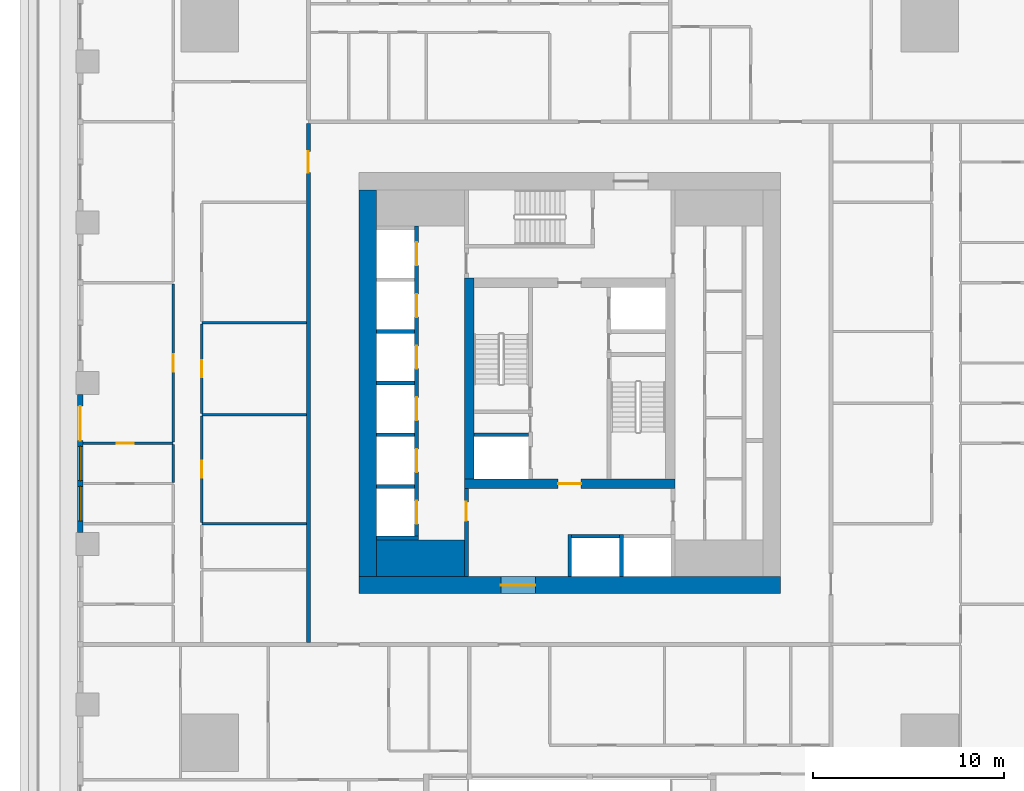
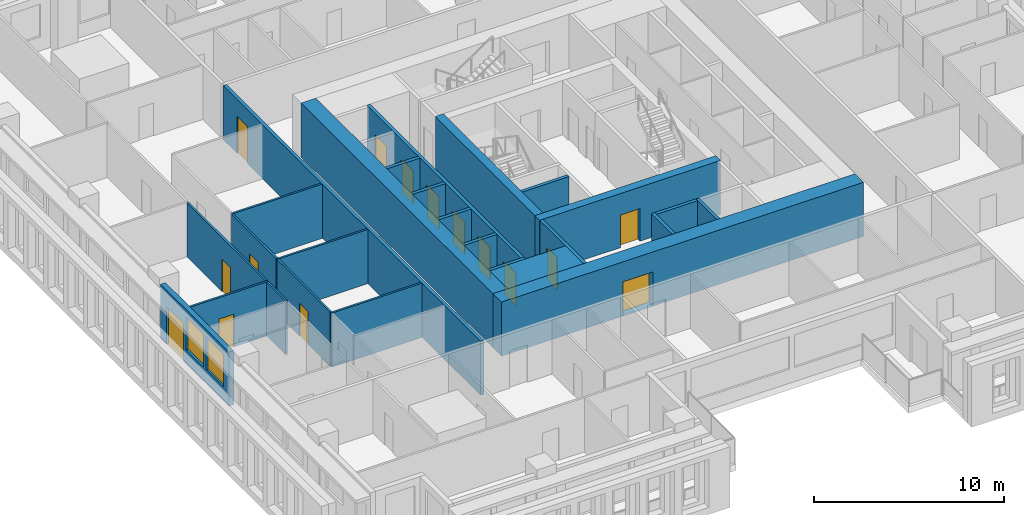
# One storey, part 3 of 15: 26 walls, 15 doors, 2 windows, 17 openings.
"""IFC4 building model written with IfcOpenShell, lengths in metres."""

from ifc_helpers import new_model, si_unit, direction, frame, frame_2d, origin, place, context, subcontext, project, spatial, rectangle, extrude, material, layer, layer_set, type_object, element, fill, save


model = new_model("IFC4")

# Units and contexts
model_context = context("Model", 3, precision=1e-05, world=origin(), true_north=direction((0.0, 1.0)))
body_context = subcontext(model_context, "Body", "Model", "MODEL_VIEW")
ifc_project = project(units=[si_unit("LENGTHUNIT", "METRE"), si_unit("AREAUNIT", "SQUARE_METRE"), si_unit("VOLUMEUNIT", "CUBIC_METRE"), si_unit("PLANEANGLEUNIT", "RADIAN"), si_unit("MASSUNIT", "GRAM", prefix="KILO")], contexts=[model_context])

# Site, building, storey
site_placement = place(None, origin())
site = spatial("IfcSite", under=ifc_project, at=site_placement, CompositionType="ELEMENT")
building_placement = place(site_placement, origin())
building = spatial("IfcBuilding", under=site, at=building_placement, Name="Khepri Terraces", CompositionType="ELEMENT")
storey_placement = place(building_placement, frame((0.0, 0.0, 42.60009765625)))
storey = spatial("IfcBuildingStorey", under=building, at=storey_placement, Name="L09", CompositionType="ELEMENT", Elevation=42.60009765625)

# Walls
ifc_material_1 = material(Name="Concrete C80/95", Category="concrete")
ifc_layer_1 = layer(ifc_material_1, 1.89990234375, Name="Concrete C80/95", Category="concrete")
ifc_layer_set_1 = layer_set([ifc_layer_1], Name="Concrete C80/95")
wall_type_1 = type_object("IfcWallType", Name="Core wall 1900 C80/95", PredefinedType="SHEAR", material=ifc_layer_set_1)
wall_1_placement = place(storey_placement, frame((-10.10009765625, -9.14990234375, 0.0), z_axis=(0.0, 0.0, 1.0), x_axis=(1.0, 0.0, 0.0)))
element("IfcWall", 1, at=wall_1_placement, inside=storey, type_object=wall_type_1, Name="Core wall PR01 L09", PredefinedType="SHEAR", context=body_context, shape_type="SweptSolid", body=[
    extrude(rectangle(XDim=4.60009765625, YDim=1.89990234375, at=frame_2d((2.300048828125, 0.0))), origin(), (0.0, 0.0, 1.0), 3.47998046875),
])
ifc_layer_2 = layer(ifc_material_1, 0.199951171875, Name="Concrete C80/95", Category="concrete")
ifc_layer_set_2 = layer_set([ifc_layer_2], Name="Concrete C80/95")
wall_type_2 = type_object("IfcWallType", Name="Core wall 200 C80/95", PredefinedType="SHEAR", material=ifc_layer_set_2)
for number, where, z_axis, x_axis, name in (
    (2, (0.0, -10.10009765625, 0.0), (0.0, 0.0, 1.0), (0.0, 1.0, 0.0), "Core wall SH01 L09"),
    (3, (2.699951171875, -10.10009765625, 0.0), (0.0, 0.0, 1.0), (0.0, 1.0, 0.0), "Core wall SH02 L09"),
    (4, (-10.10009765625, -8.10009765625, 0.0), (0.0, 0.0, 1.0), (1.0, 0.0, 0.0), "Core wall SH04 L09"),
):
    element("IfcWall", number, at=place(storey_placement, frame(where, z_axis=z_axis, x_axis=x_axis)), inside=storey, type_object=wall_type_2, Name=name, PredefinedType="SHEAR", context=body_context, shape_type="SweptSolid", body=[
        extrude(rectangle(XDim=2.2001953125, YDim=0.199951171875, at=frame_2d((1.10009765625, 0.0))), origin(), (0.0, 0.0, 1.0), 3.47998046875),
    ])
wall_2_placement = place(storey_placement, frame((0.10009765625, -8.0, 0.0), z_axis=(0.0, 0.0, 1.0), x_axis=(1.0, 0.0, 0.0)))
element("IfcWall", 5, at=wall_2_placement, inside=storey, type_object=wall_type_2, Name="Core wall SH06 L09", PredefinedType="SHEAR", context=body_context, shape_type="SweptSolid", body=[
    extrude(rectangle(XDim=2.5, YDim=0.199951171875, at=frame_2d((1.25, 0.0))), origin(), (0.0, 0.0, 1.0), 3.47998046875),
])

# Wall, openings, doors
wall_3_placement = place(storey_placement, frame((-8.0, -8.0, 0.0), z_axis=(0.0, 0.0, 1.0), x_axis=(0.0, 1.0, 0.0)))
wall_3 = element("IfcWall", 6, at=wall_3_placement, inside=storey, type_object=wall_type_2, Name="Core wall SH08 L09", PredefinedType="SHEAR", context=body_context, shape_type="SweptSolid", body=[
    extrude(rectangle(XDim=16.199951171875, YDim=0.199951171875, at=frame_2d((8.10009765625, 0.0))), origin(), (0.0, 0.0, 1.0), 3.47998046875),
])
opening_1_placement = place(wall_3_placement, frame((0.64990234375, 0.0, 0.0)))
opening_1 = element("IfcOpeningElement", 7, at=opening_1_placement, cuts=wall_3, Name="Opening L09-C01", PredefinedType="OPENING", context=body_context, shape_type="SweptSolid", body=[
    extrude(rectangle(XDim=1.199951171875, YDim=2.10009765625, at=frame_2d((0.60009765625, 1.050048828125))), frame((0.0, 0.10986328125, 0.0), z_axis=(0.0, -1.0, 0.0), x_axis=(1.0, 0.0, 0.0)), (0.0, 0.0, 1.0), 0.219970703125),
])
opening_2_placement = place(wall_3_placement, frame((3.35009765625, 0.0, 0.0)))
opening_2 = element("IfcOpeningElement", 8, at=opening_2_placement, cuts=wall_3, Name="Opening L09-C02", PredefinedType="OPENING", context=body_context, shape_type="SweptSolid", body=[
    extrude(rectangle(XDim=1.199951171875, YDim=2.10009765625, at=frame_2d((0.60009765625, 1.050048828125))), frame((0.0, 0.10986328125, 0.0), z_axis=(0.0, -1.0, 0.0), x_axis=(1.0, 0.0, 0.0)), (0.0, 0.0, 1.0), 0.219970703125),
])
opening_3_placement = place(wall_3_placement, frame((6.050048828125, 0.0, 0.0)))
opening_3 = element("IfcOpeningElement", 9, at=opening_3_placement, cuts=wall_3, Name="Opening L09-C03", PredefinedType="OPENING", context=body_context, shape_type="SweptSolid", body=[
    extrude(rectangle(XDim=1.199951171875, YDim=2.10009765625, at=frame_2d((0.60009765625, 1.050048828125))), frame((0.0, 0.10986328125, 0.0), z_axis=(0.0, -1.0, 0.0), x_axis=(1.0, 0.0, 0.0)), (0.0, 0.0, 1.0), 0.219970703125),
])
opening_4_placement = place(wall_3_placement, frame((8.75, 0.0, 0.0)))
opening_4 = element("IfcOpeningElement", 10, at=opening_4_placement, cuts=wall_3, Name="Opening L09-C04", PredefinedType="OPENING", context=body_context, shape_type="SweptSolid", body=[
    extrude(rectangle(XDim=1.199951171875, YDim=2.10009765625, at=frame_2d((0.60009765625, 1.050048828125))), frame((0.0, 0.10986328125, 0.0), z_axis=(0.0, -1.0, 0.0), x_axis=(1.0, 0.0, 0.0)), (0.0, 0.0, 1.0), 0.219970703125),
])
opening_5_placement = place(wall_3_placement, frame((11.449951171875, 0.0, 0.0)))
opening_5 = element("IfcOpeningElement", 11, at=opening_5_placement, cuts=wall_3, Name="Opening L09-C05", PredefinedType="OPENING", context=body_context, shape_type="SweptSolid", body=[
    extrude(rectangle(XDim=1.199951171875, YDim=2.10009765625, at=frame_2d((0.60009765625, 1.050048828125))), frame((0.0, 0.10986328125, 0.0), z_axis=(0.0, -1.0, 0.0), x_axis=(1.0, 0.0, 0.0)), (0.0, 0.0, 1.0), 0.219970703125),
])
opening_6_placement = place(wall_3_placement, frame((14.14990234375, 0.0, 0.0)))
opening_6 = element("IfcOpeningElement", 12, at=opening_6_placement, cuts=wall_3, Name="Opening L09-C06", PredefinedType="OPENING", context=body_context, shape_type="SweptSolid", body=[
    extrude(rectangle(XDim=1.199951171875, YDim=2.10009765625, at=frame_2d((0.60009765625, 1.050048828125))), frame((0.0, 0.10986328125, 0.0), z_axis=(0.0, -1.0, 0.0), x_axis=(1.0, 0.0, 0.0)), (0.0, 0.0, 1.0), 0.219970703125),
])
ifc_material_2 = material(Name="Stainless steel 304", Category="steel")
door_type_1 = type_object("IfcDoorType", Name="DR-CORE-LANDING-1200", OperationType="NOTDEFINED", PredefinedType="DOOR", material=ifc_material_2)
door_1_placement = place(opening_1_placement, origin())
door_1 = element("IfcDoor", 13, at=door_1_placement, inside=storey, type_object=door_type_1, Name="Lift landing door L09-C01", OperationType="SLIDING_TO_LEFT", OverallHeight=2.10009765625, OverallWidth=1.199951171875, PredefinedType="DOOR", context=body_context, shape_type="SweptSolid", body=[
    extrude(rectangle(XDim=1.199951171875, YDim=2.10009765625, at=frame_2d((0.60009765625, 1.050048828125))), frame((0.0, 0.02490234375, 0.0), z_axis=(0.0, -1.0, 0.0), x_axis=(1.0, 0.0, 0.0)), (0.0, 0.0, 1.0), 0.050048828125),
])
fill(opening_1, door_1)
door_2_placement = place(opening_2_placement, origin())
door_2 = element("IfcDoor", 14, at=door_2_placement, inside=storey, type_object=door_type_1, Name="Lift landing door L09-C02", OperationType="SLIDING_TO_LEFT", OverallHeight=2.10009765625, OverallWidth=1.199951171875, PredefinedType="DOOR", context=body_context, shape_type="SweptSolid", body=[
    extrude(rectangle(XDim=1.199951171875, YDim=2.10009765625, at=frame_2d((0.60009765625, 1.050048828125))), frame((0.0, 0.02490234375, 0.0), z_axis=(0.0, -1.0, 0.0), x_axis=(1.0, 0.0, 0.0)), (0.0, 0.0, 1.0), 0.050048828125),
])
fill(opening_2, door_2)
door_3_placement = place(opening_3_placement, origin())
door_3 = element("IfcDoor", 15, at=door_3_placement, inside=storey, type_object=door_type_1, Name="Lift landing door L09-C03", OperationType="SLIDING_TO_LEFT", OverallHeight=2.10009765625, OverallWidth=1.199951171875, PredefinedType="DOOR", context=body_context, shape_type="SweptSolid", body=[
    extrude(rectangle(XDim=1.199951171875, YDim=2.10009765625, at=frame_2d((0.60009765625, 1.050048828125))), frame((0.0, 0.02490234375, 0.0), z_axis=(0.0, -1.0, 0.0), x_axis=(1.0, 0.0, 0.0)), (0.0, 0.0, 1.0), 0.050048828125),
])
fill(opening_3, door_3)
door_4_placement = place(opening_4_placement, origin())
door_4 = element("IfcDoor", 16, at=door_4_placement, inside=storey, type_object=door_type_1, Name="Lift landing door L09-C04", OperationType="SLIDING_TO_LEFT", OverallHeight=2.10009765625, OverallWidth=1.199951171875, PredefinedType="DOOR", context=body_context, shape_type="SweptSolid", body=[
    extrude(rectangle(XDim=1.199951171875, YDim=2.10009765625, at=frame_2d((0.60009765625, 1.050048828125))), frame((0.0, 0.02490234375, 0.0), z_axis=(0.0, -1.0, 0.0), x_axis=(1.0, 0.0, 0.0)), (0.0, 0.0, 1.0), 0.050048828125),
])
fill(opening_4, door_4)
door_5_placement = place(opening_5_placement, origin())
door_5 = element("IfcDoor", 17, at=door_5_placement, inside=storey, type_object=door_type_1, Name="Lift landing door L09-C05", OperationType="SLIDING_TO_LEFT", OverallHeight=2.10009765625, OverallWidth=1.199951171875, PredefinedType="DOOR", context=body_context, shape_type="SweptSolid", body=[
    extrude(rectangle(XDim=1.199951171875, YDim=2.10009765625, at=frame_2d((0.60009765625, 1.050048828125))), frame((0.0, 0.02490234375, 0.0), z_axis=(0.0, -1.0, 0.0), x_axis=(1.0, 0.0, 0.0)), (0.0, 0.0, 1.0), 0.050048828125),
])
fill(opening_5, door_5)
door_6_placement = place(opening_6_placement, origin())
door_6 = element("IfcDoor", 18, at=door_6_placement, inside=storey, type_object=door_type_1, Name="Lift landing door L09-C06", OperationType="SLIDING_TO_LEFT", OverallHeight=2.10009765625, OverallWidth=1.199951171875, PredefinedType="DOOR", context=body_context, shape_type="SweptSolid", body=[
    extrude(rectangle(XDim=1.199951171875, YDim=2.10009765625, at=frame_2d((0.60009765625, 1.050048828125))), frame((0.0, 0.02490234375, 0.0), z_axis=(0.0, -1.0, 0.0), x_axis=(1.0, 0.0, 0.0)), (0.0, 0.0, 1.0), 0.050048828125),
])
fill(opening_6, door_6)

# Walls
for number, where, z_axis, x_axis, name in (
    (19, (-10.10009765625, -5.39990234375, 0.0), (0.0, 0.0, 1.0), (1.0, 0.0, 0.0), "Core wall SH09 L09"),
    (20, (-10.10009765625, -2.699951171875, 0.0), (0.0, 0.0, 1.0), (1.0, 0.0, 0.0), "Core wall SH12 L09"),
):
    element("IfcWall", number, at=place(storey_placement, frame(where, z_axis=z_axis, x_axis=x_axis)), inside=storey, type_object=wall_type_2, Name=name, PredefinedType="SHEAR", context=body_context, shape_type="SweptSolid", body=[
        extrude(rectangle(XDim=2.0, YDim=0.199951171875, at=frame_2d((1.0, 0.0))), origin(), (0.0, 0.0, 1.0), 3.47998046875),
    ])
wall_4_placement = place(storey_placement, frame((-5.0, -2.699951171875, 0.0), z_axis=(0.0, 0.0, 1.0), x_axis=(1.0, 0.0, 0.0)))
element("IfcWall", 21, at=wall_4_placement, inside=storey, type_object=wall_type_2, Name="Core wall SH13 L09", PredefinedType="SHEAR", context=body_context, shape_type="SweptSolid", body=[
    extrude(rectangle(XDim=2.85009765625, YDim=0.199951171875, at=frame_2d((1.425048828125, 0.0))), origin(), (0.0, 0.0, 1.0), 3.47998046875),
])
for number, where, z_axis, x_axis, name in (
    (22, (-10.10009765625, 0.0, 0.0), (0.0, 0.0, 1.0), (1.0, 0.0, 0.0), "Core wall SH14 L09"),
    (23, (-10.10009765625, 2.699951171875, 0.0), (0.0, 0.0, 1.0), (1.0, 0.0, 0.0), "Core wall SH17 L09"),
):
    element("IfcWall", number, at=place(storey_placement, frame(where, z_axis=z_axis, x_axis=x_axis)), inside=storey, type_object=wall_type_2, Name=name, PredefinedType="SHEAR", context=body_context, shape_type="SweptSolid", body=[
        extrude(rectangle(XDim=2.0, YDim=0.199951171875, at=frame_2d((1.0, 0.0))), origin(), (0.0, 0.0, 1.0), 3.47998046875),
    ])

# Wall, opening, door
ifc_layer_3 = layer(ifc_material_1, 0.5, Name="Concrete C80/95", Category="concrete")
ifc_layer_set_3 = layer_set([ifc_layer_3], Name="Concrete C80/95")
wall_type_3 = type_object("IfcWallType", Name="Core wall 500 C80/95", PredefinedType="SHEAR", material=ifc_layer_set_3)
wall_5_placement = place(storey_placement, frame((-5.5, -5.25, 0.0), z_axis=(0.0, 0.0, 1.0), x_axis=(1.0, 0.0, 0.0)))
wall_5 = element("IfcWall", 24, at=wall_5_placement, inside=storey, type_object=wall_type_3, Name="Core wall BX01 L09", PredefinedType="SHEAR", context=body_context, shape_type="SweptSolid", body=[
    extrude(rectangle(XDim=11.0, YDim=0.5, at=frame_2d((5.5, 0.0))), origin(), (0.0, 0.0, 1.0), 3.47998046875),
])
opening_7_placement = place(wall_5_placement, frame((4.89990234375, 0.0, 0.0)))
opening_7 = element("IfcOpeningElement", 25, at=opening_7_placement, cuts=wall_5, Name="Opening L09-C14", PredefinedType="OPENING", context=body_context, shape_type="SweptSolid", body=[
    extrude(rectangle(XDim=1.199951171875, YDim=2.10009765625, at=frame_2d((0.60009765625, 1.050048828125))), frame((0.0, 0.260009765625, 0.0), z_axis=(0.0, -1.0, 0.0), x_axis=(1.0, 0.0, 0.0)), (0.0, 0.0, 1.0), 0.52001953125),
])
ifc_material_3 = material(Name="Painted steel", Category="steel")
door_type_2 = type_object("IfcDoorType", Name="DR-CORE-FF-LOBBY-1200", OperationType="NOTDEFINED", PredefinedType="DOOR", material=ifc_material_3)
door_7_placement = place(opening_7_placement, origin())
door_7 = element("IfcDoor", 26, at=door_7_placement, inside=storey, type_object=door_type_2, Name="Firefighting lobby door L09-C14", OperationType="SINGLE_SWING_RIGHT", OverallHeight=2.10009765625, OverallWidth=1.199951171875, PredefinedType="DOOR", context=body_context, shape_type="SweptSolid", body=[
    extrude(rectangle(XDim=1.199951171875, YDim=2.10009765625, at=frame_2d((0.60009765625, 1.050048828125))), frame((0.0, 0.02490234375, 0.0), z_axis=(0.0, -1.0, 0.0), x_axis=(1.0, 0.0, 0.0)), (0.0, 0.0, 1.0), 0.050048828125),
])
fill(opening_7, door_7)

# Wall
wall_6_placement = place(storey_placement, frame((-5.25, -5.0, 0.0), z_axis=(0.0, 0.0, 1.0), x_axis=(0.0, 1.0, 0.0)))
element("IfcWall", 27, at=wall_6_placement, inside=storey, type_object=wall_type_3, Name="Core wall BX02 L09", PredefinedType="SHEAR", context=body_context, shape_type="SweptSolid", body=[
    extrude(rectangle(XDim=10.5, YDim=0.5, at=frame_2d((5.25, 0.0))), origin(), (0.0, 0.0, 1.0), 3.47998046875),
])

# Wall, opening, door
ifc_layer_4 = layer(ifc_material_1, 0.89990234375, Name="Concrete C80/95", Category="concrete")
ifc_layer_set_4 = layer_set([ifc_layer_4], Name="Concrete C80/95")
wall_type_4 = type_object("IfcWallType", Name="Core wall 900 C80/95", PredefinedType="SHEAR", material=ifc_layer_set_4)
wall_7_placement = place(storey_placement, frame((-11.0, -10.550048828125, 0.0), z_axis=(0.0, 0.0, 1.0), x_axis=(1.0, 0.0, 0.0)))
wall_7 = element("IfcWall", 28, at=wall_7_placement, inside=storey, type_object=wall_type_4, Name="Core wall OW-S L09", PredefinedType="SHEAR", context=body_context, shape_type="SweptSolid", body=[
    extrude(rectangle(XDim=22.0, YDim=0.89990234375, at=frame_2d((11.0, 0.0))), origin(), (0.0, 0.0, 1.0), 3.47998046875),
])
opening_8_placement = place(wall_7_placement, frame((7.39990234375, 0.0, 0.0)))
opening_8 = element("IfcOpeningElement", 29, at=opening_8_placement, cuts=wall_7, Name="Opening L09-C21", PredefinedType="OPENING", context=body_context, shape_type="SweptSolid", body=[
    extrude(rectangle(XDim=1.800048828125, YDim=2.199951171875, at=frame_2d((0.89990234375, 1.10009765625))), frame((0.0, 0.4599609375, 0.0), z_axis=(0.0, -1.0, 0.0), x_axis=(1.0, 0.0, 0.0)), (0.0, 0.0, 1.0), 0.919921875),
])
door_type_3 = type_object("IfcDoorType", Name="DR-CORE-ENTRANCE-1800", OperationType="NOTDEFINED", PredefinedType="DOOR", material=ifc_material_3)
door_8_placement = place(opening_8_placement, frame((1.800048828125, 0.0, 0.0), z_axis=(0.0, 0.0, 1.0), x_axis=(-1.0, 0.0, 0.0)))
door_8 = element("IfcDoor", 30, at=door_8_placement, inside=storey, type_object=door_type_3, Name="Core entrance door pair L09-C21", OperationType="DOUBLE_DOOR_SINGLE_SWING", OverallHeight=2.199951171875, OverallWidth=1.800048828125, PredefinedType="DOOR", context=body_context, shape_type="SweptSolid", body=[
    extrude(rectangle(XDim=1.800048828125, YDim=2.199951171875, at=frame_2d((0.89990234375, 1.10009765625))), frame((0.0, 0.02490234375, 0.0), z_axis=(0.0, -1.0, 0.0), x_axis=(1.0, 0.0, 0.0)), (0.0, 0.0, 1.0), 0.050048828125),
])
fill(opening_8, door_8)

# Wall
wall_8_placement = place(storey_placement, frame((-10.550048828125, -10.10009765625, 0.0), z_axis=(0.0, 0.0, 1.0), x_axis=(0.0, 1.0, 0.0)))
element("IfcWall", 31, at=wall_8_placement, inside=storey, type_object=wall_type_4, Name="Core wall OW-W L09", PredefinedType="SHEAR", context=body_context, shape_type="SweptSolid", body=[
    extrude(rectangle(XDim=20.2001953125, YDim=0.89990234375, at=frame_2d((10.10009765625, 0.0))), origin(), (0.0, 0.0, 1.0), 3.47998046875),
])

# Wall, opening, door
ifc_material_4 = material(Name="Fire-rated gypsum board partition")
ifc_layer_5 = layer(ifc_material_4, 0.199951171875, Name="Fire-rated gypsum board partition")
ifc_layer_set_5 = layer_set([ifc_layer_5], Name="Fire-rated gypsum board partition")
wall_type_5 = type_object("IfcWallType", Name="WL-CORE-PART-200", PredefinedType="PARTITIONING", material=ifc_layer_set_5)
wall_9_placement = place(storey_placement, frame((-5.39990234375, -10.10009765625, 0.0), z_axis=(0.0, 0.0, 1.0), x_axis=(0.0, 1.0, 0.0)))
wall_9 = element("IfcWall", 32, at=wall_9_placement, inside=storey, type_object=wall_type_5, Name="Core partition PT01 L09", PredefinedType="PARTITIONING", context=body_context, shape_type="SweptSolid", body=[
    extrude(rectangle(XDim=4.60009765625, YDim=0.199951171875, at=frame_2d((2.300048828125, 0.0))), origin(), (0.0, 0.0, 1.0), 3.47998046875),
])
opening_9_placement = place(wall_9_placement, frame((2.89990234375, 0.0, 0.0)))
opening_9 = element("IfcOpeningElement", 33, at=opening_9_placement, cuts=wall_9, Name="Opening L09-C18", PredefinedType="OPENING", context=body_context, shape_type="SweptSolid", body=[
    extrude(rectangle(XDim=1.0, YDim=2.10009765625, at=frame_2d((0.5, 1.050048828125))), frame((0.0, 0.10986328125, 0.0), z_axis=(0.0, -1.0, 0.0), x_axis=(1.0, 0.0, 0.0)), (0.0, 0.0, 1.0), 0.219970703125),
])
door_type_4 = type_object("IfcDoorType", Name="DR-CORE-LOBBY-1000", OperationType="NOTDEFINED", PredefinedType="DOOR", material=ifc_material_3)
door_9_placement = place(opening_9_placement, frame((1.0, 0.0, 0.0), z_axis=(0.0, 0.0, 1.0), x_axis=(-1.0, 0.0, 0.0)))
door_9 = element("IfcDoor", 34, at=door_9_placement, inside=storey, type_object=door_type_4, Name="Lobby door L09-C18", OperationType="SINGLE_SWING_LEFT", OverallHeight=2.10009765625, OverallWidth=1.0, PredefinedType="DOOR", context=body_context, shape_type="SweptSolid", body=[
    extrude(rectangle(XDim=1.0, YDim=2.10009765625, at=frame_2d((0.5, 1.050048828125))), frame((0.0, 0.02490234375, 0.0), z_axis=(0.0, -1.0, 0.0), x_axis=(1.0, 0.0, 0.0)), (0.0, 0.0, 1.0), 0.050048828125),
])
fill(opening_9, door_9)

ifc_material_5 = material(Name="Fire-rated gypsum plasterboard partition, mineral wool")
ifc_layer_6 = layer(ifc_material_5, 0.199951171875, Name="Fire-rated gypsum plasterboard partition, mineral wool")
ifc_layer_set_6 = layer_set([ifc_layer_6], Name="Fire-rated gypsum plasterboard partition, mineral wool")
wall_type_6 = type_object("IfcWallType", Name="WL-CORR-200", PredefinedType="PARTITIONING", material=ifc_layer_set_6)
wall_10_placement = place(storey_placement, frame((-13.64990234375, -13.550048828125, 0.0), z_axis=(0.0, 0.0, 1.0), x_axis=(0.0, 1.0, 0.0)))
wall_10 = element("IfcWall", 35, at=wall_10_placement, inside=storey, type_object=wall_type_6, Name="Partition P-023 L09", PredefinedType="PARTITIONING", context=body_context, shape_type="SweptSolid", body=[
    extrude(rectangle(XDim=27.10009765625, YDim=0.199951171875, at=frame_2d((13.550048828125, 0.0))), origin(), (0.0, 0.0, 1.0), 3.47998046875),
])
opening_10_placement = place(wall_10_placement, frame((24.550048828125, 0.0, 0.0)))
opening_10 = element("IfcOpeningElement", 36, at=opening_10_placement, cuts=wall_10, Name="Opening D1", PredefinedType="OPENING", context=body_context, shape_type="SweptSolid", body=[
    extrude(rectangle(XDim=1.10009765625, YDim=2.39990234375, at=frame_2d((0.550048828125, 1.199951171875))), frame((0.0, 0.10986328125, 0.0), z_axis=(0.0, -1.0, 0.0), x_axis=(1.0, 0.0, 0.0)), (0.0, 0.0, 1.0), 0.219970703125),
])
ifc_material_6 = material(Name="Solid-core timber door leaf, flat entrance door", Category="wood")
door_type_5 = type_object("IfcDoorType", Name="DR-ENT-1100", OperationType="NOTDEFINED", PredefinedType="DOOR", material=ifc_material_6)
door_10_placement = place(opening_10_placement, origin())
door_10 = element("IfcDoor", 37, at=door_10_placement, inside=storey, type_object=door_type_5, Name="Flat D1 entrance door", OperationType="SINGLE_SWING_RIGHT", OverallHeight=2.39990234375, OverallWidth=1.10009765625, PredefinedType="DOOR", context=body_context, shape_type="SweptSolid", body=[
    extrude(rectangle(XDim=1.10009765625, YDim=2.39990234375, at=frame_2d((0.550048828125, 1.199951171875))), frame((0.0, 0.02490234375, 0.0), z_axis=(0.0, -1.0, 0.0), x_axis=(1.0, 0.0, 0.0)), (0.0, 0.0, 1.0), 0.050048828125),
])
fill(opening_10, door_10)

# Wall, openings, door, windows
ifc_material_7 = material(Name="Precast concrete C50/60 warm stone", Category="masonry")
ifc_layer_7 = layer(ifc_material_7, 0.300048828125, Name="Precast concrete C50/60 warm stone", Category="masonry")
ifc_layer_set_7 = layer_set([ifc_layer_7], Name="Precast concrete C50/60 warm stone")
wall_type_7 = type_object("IfcWallType", Name="WL-EXT-PRECAST-300", PredefinedType="STANDARD", material=ifc_layer_set_7)
wall_11_placement = place(storey_placement, frame((-25.570068359375, -0.60009765625, 0.0), z_axis=(0.0, 0.0, 1.0), x_axis=(0.0, -1.0, 0.0)))
wall_11 = element("IfcWall", 38, at=wall_11_placement, inside=storey, type_object=wall_type_7, Name="External wall L09 W", PredefinedType="STANDARD", context=body_context, shape_type="SweptSolid", body=[
    extrude(rectangle(XDim=7.199951171875, YDim=0.300048828125, at=frame_2d((3.60009765625, 0.0))), origin(), (0.0, 0.0, 1.0), 3.47998046875),
])
opening_11_placement = place(wall_11_placement, frame((0.60009765625, 0.0, 0.0)))
opening_11 = element("IfcOpeningElement", 39, at=opening_11_placement, cuts=wall_11, Name="Opening ED-L09-17", PredefinedType="OPENING", context=body_context, shape_type="SweptSolid", body=[
    extrude(rectangle(XDim=1.800048828125, YDim=2.39990234375, at=frame_2d((0.89990234375, 1.199951171875))), frame((0.0, 0.16015625, 0.0), z_axis=(0.0, -1.0, 0.0), x_axis=(1.0, 0.0, 0.0)), (0.0, 0.0, 1.0), 0.320068359375),
])
opening_12_placement = place(wall_11_placement, frame((2.699951171875, 0.0, 0.89990234375)))
opening_12 = element("IfcOpeningElement", 40, at=opening_12_placement, cuts=wall_11, Name="Opening W1", PredefinedType="OPENING", context=body_context, shape_type="SweptSolid", body=[
    extrude(rectangle(XDim=1.800048828125, YDim=2.10009765625, at=frame_2d((0.89990234375, 1.050048828125))), frame((0.0, 0.16015625, 0.0), z_axis=(0.0, -1.0, 0.0), x_axis=(1.0, 0.0, 0.0)), (0.0, 0.0, 1.0), 0.320068359375),
])
opening_13_placement = place(wall_11_placement, frame((4.800048828125, 0.0, 0.89990234375)))
opening_13 = element("IfcOpeningElement", 41, at=opening_13_placement, cuts=wall_11, Name="Opening W1", PredefinedType="OPENING", context=body_context, shape_type="SweptSolid", body=[
    extrude(rectangle(XDim=1.800048828125, YDim=2.10009765625, at=frame_2d((0.89990234375, 1.050048828125))), frame((0.0, 0.16015625, 0.0), z_axis=(0.0, -1.0, 0.0), x_axis=(1.0, 0.0, 0.0)), (0.0, 0.0, 1.0), 0.320068359375),
])
ifc_material_8 = material(Name="Anodised aluminium bronze glazed door", Category="aluminium")
door_type_6 = type_object("IfcDoorType", Name="DR-BAL-SLIDE-1800x2400", OperationType="NOTDEFINED", PredefinedType="DOOR", material=ifc_material_8)
door_11_placement = place(opening_11_placement, origin())
door_11 = element("IfcDoor", 42, at=door_11_placement, inside=storey, type_object=door_type_6, Name="Balcony door L09 W", OperationType="SLIDING_TO_LEFT", OverallHeight=2.39990234375, OverallWidth=1.800048828125, PredefinedType="DOOR", context=body_context, shape_type="SweptSolid", body=[
    extrude(rectangle(XDim=1.800048828125, YDim=2.39990234375, at=frame_2d((0.89990234375, 1.199951171875))), frame((0.0, 0.02490234375, 0.0), z_axis=(0.0, -1.0, 0.0), x_axis=(1.0, 0.0, 0.0)), (0.0, 0.0, 1.0), 0.050048828125),
])
fill(opening_11, door_11)
ifc_material_9 = material(Name="Clear glass", Category="glass")
window_type = type_object("IfcWindowType", Name="WIN-RES-1800x2100", PartitioningType="SINGLE_PANEL", PredefinedType="WINDOW", material=ifc_material_9)
window_1_placement = place(opening_12_placement, origin())
window_1 = element("IfcWindow", 43, at=window_1_placement, inside=storey, type_object=window_type, Name="Window L09 W", OverallHeight=2.10009765625, OverallWidth=1.800048828125, PartitioningType="SINGLE_PANEL", PredefinedType="WINDOW", context=body_context, shape_type="SweptSolid", body=[
    extrude(rectangle(XDim=1.800048828125, YDim=2.10009765625, at=frame_2d((0.89990234375, 1.050048828125))), frame((0.0, 0.030029296875, 0.0), z_axis=(0.0, -1.0, 0.0), x_axis=(1.0, 0.0, 0.0)), (0.0, 0.0, 1.0), 0.06005859375),
])
fill(opening_12, window_1)
window_2_placement = place(opening_13_placement, origin())
window_2 = element("IfcWindow", 44, at=window_2_placement, inside=storey, type_object=window_type, Name="Window L09 W", OverallHeight=2.10009765625, OverallWidth=1.800048828125, PartitioningType="SINGLE_PANEL", PredefinedType="WINDOW", context=body_context, shape_type="SweptSolid", body=[
    extrude(rectangle(XDim=1.800048828125, YDim=2.10009765625, at=frame_2d((0.89990234375, 1.050048828125))), frame((0.0, 0.030029296875, 0.0), z_axis=(0.0, -1.0, 0.0), x_axis=(1.0, 0.0, 0.0)), (0.0, 0.0, 1.0), 0.06005859375),
])
fill(opening_13, window_2)

# Wall
ifc_material_10 = material(Name="Gypsum plasterboard partition")
ifc_layer_8 = layer(ifc_material_10, 0.1201171875, Name="Gypsum plasterboard partition")
ifc_layer_set_8 = layer_set([ifc_layer_8], Name="Gypsum plasterboard partition")
wall_type_8 = type_object("IfcWallType", Name="WL-PART-120", PredefinedType="PARTITIONING", material=ifc_layer_set_8)
wall_12_placement = place(storey_placement, frame((-19.219970703125, -7.35009765625, 0.0), z_axis=(0.0, 0.0, 1.0), x_axis=(1.0, 0.0, 0.0)))
element("IfcWall", 45, at=wall_12_placement, inside=storey, type_object=wall_type_8, Name="Partition P-032 L09", PredefinedType="PARTITIONING", context=body_context, shape_type="SweptSolid", body=[
    extrude(rectangle(XDim=5.469970703125, YDim=0.1201171875, at=frame_2d((2.73486328125, 0.0))), origin(), (0.0, 0.0, 1.0), 3.47998046875),
])

# Wall, opening, door
wall_13_placement = place(storey_placement, frame((-19.219970703125, -7.2900390625, 0.0), z_axis=(0.0, 0.0, 1.0), x_axis=(0.0, 1.0, 0.0)))
wall_13 = element("IfcWall", 46, at=wall_13_placement, inside=storey, type_object=wall_type_8, Name="Partition P-035 L09", PredefinedType="PARTITIONING", context=body_context, shape_type="SweptSolid", body=[
    extrude(rectangle(XDim=5.580078125, YDim=0.1201171875, at=frame_2d((2.7900390625, 0.0))), origin(), (0.0, 0.0, 1.0), 3.47998046875),
])
opening_14_placement = place(wall_13_placement, frame((2.340087890625, 0.0, 0.0)))
opening_14 = element("IfcOpeningElement", 47, at=opening_14_placement, cuts=wall_13, Name="Opening D3", PredefinedType="OPENING", context=body_context, shape_type="SweptSolid", body=[
    extrude(rectangle(XDim=0.89990234375, YDim=2.10009765625, at=frame_2d((0.449951171875, 1.050048828125))), frame((0.0, 0.070068359375, 0.0), z_axis=(0.0, -1.0, 0.0), x_axis=(1.0, 0.0, 0.0)), (0.0, 0.0, 1.0), 0.14013671875),
])
ifc_material_11 = material(Name="Timber door leaf", Category="wood")
door_type_7 = type_object("IfcDoorType", Name="DR-INT-900", OperationType="NOTDEFINED", PredefinedType="DOOR", material=ifc_material_11)
door_12_placement = place(opening_14_placement, frame((0.89990234375, 0.0, 0.0), z_axis=(0.0, 0.0, 1.0), x_axis=(-1.0, 0.0, 0.0)))
door_12 = element("IfcDoor", 48, at=door_12_placement, inside=storey, type_object=door_type_7, Name="Door Staff Bedroom", OperationType="SINGLE_SWING_LEFT", OverallHeight=2.10009765625, OverallWidth=0.89990234375, PredefinedType="DOOR", context=body_context, shape_type="SweptSolid", body=[
    extrude(rectangle(XDim=0.89990234375, YDim=2.10009765625, at=frame_2d((0.449951171875, 1.050048828125))), frame((0.0, 0.02490234375, 0.0), z_axis=(0.0, -1.0, 0.0), x_axis=(1.0, 0.0, 0.0)), (0.0, 0.0, 1.0), 0.050048828125),
])
fill(opening_14, door_12)

# Wall
wall_14_placement = place(storey_placement, frame((-20.719970703125, -5.18994140625, 0.0), z_axis=(0.0, 0.0, 1.0), x_axis=(0.0, 1.0, 0.0)))
element("IfcWall", 49, at=wall_14_placement, inside=storey, type_object=wall_type_8, Name="Partition P-038 L09", PredefinedType="PARTITIONING", context=body_context, shape_type="SweptSolid", body=[
    extrude(rectangle(XDim=1.97998046875, YDim=0.1201171875, at=frame_2d((0.989990234375, 0.0))), origin(), (0.0, 0.0, 1.0), 3.47998046875),
])

# Wall, opening, door
wall_15_placement = place(storey_placement, frame((-25.419921875, -3.14990234375, 0.0), z_axis=(0.0, 0.0, 1.0), x_axis=(1.0, 0.0, 0.0)))
wall_15 = element("IfcWall", 50, at=wall_15_placement, inside=storey, type_object=wall_type_8, Name="Partition P-039 L09", PredefinedType="PARTITIONING", context=body_context, shape_type="SweptSolid", body=[
    extrude(rectangle(XDim=4.699951171875, YDim=0.1201171875, at=frame_2d((2.35009765625, 0.0))), origin(), (0.0, 0.0, 1.0), 3.47998046875),
])
opening_15_placement = place(wall_15_placement, frame((1.75, 0.0, 0.0)))
opening_15 = element("IfcOpeningElement", 51, at=opening_15_placement, cuts=wall_15, Name="Opening D3", PredefinedType="OPENING", context=body_context, shape_type="SweptSolid", body=[
    extrude(rectangle(XDim=0.89990234375, YDim=2.10009765625, at=frame_2d((0.449951171875, 1.050048828125))), frame((0.0, 0.070068359375, 0.0), z_axis=(0.0, -1.0, 0.0), x_axis=(1.0, 0.0, 0.0)), (0.0, 0.0, 1.0), 0.14013671875),
])
door_13_placement = place(opening_15_placement, frame((0.89990234375, 0.0, 0.0), z_axis=(0.0, 0.0, 1.0), x_axis=(-1.0, 0.0, 0.0)))
door_13 = element("IfcDoor", 52, at=door_13_placement, inside=storey, type_object=door_type_7, Name="Door Dressing Room", OperationType="SINGLE_SWING_RIGHT", OverallHeight=2.10009765625, OverallWidth=0.89990234375, PredefinedType="DOOR", context=body_context, shape_type="SweptSolid", body=[
    extrude(rectangle(XDim=0.89990234375, YDim=2.10009765625, at=frame_2d((0.449951171875, 1.050048828125))), frame((0.0, 0.02490234375, 0.0), z_axis=(0.0, -1.0, 0.0), x_axis=(1.0, 0.0, 0.0)), (0.0, 0.0, 1.0), 0.050048828125),
])
fill(opening_15, door_13)

wall_16_placement = place(storey_placement, frame((-20.719970703125, -3.090087890625, 0.0), z_axis=(0.0, 0.0, 1.0), x_axis=(0.0, 1.0, 0.0)))
wall_16 = element("IfcWall", 53, at=wall_16_placement, inside=storey, type_object=wall_type_8, Name="Partition P-041 L09", PredefinedType="PARTITIONING", context=body_context, shape_type="SweptSolid", body=[
    extrude(rectangle(XDim=8.280029296875, YDim=0.1201171875, at=frame_2d((4.14013671875, 0.0))), origin(), (0.0, 0.0, 1.0), 3.47998046875),
])
opening_16_placement = place(wall_16_placement, frame((3.68994140625, 0.0, 0.0)))
opening_16 = element("IfcOpeningElement", 54, at=opening_16_placement, cuts=wall_16, Name="Opening D3", PredefinedType="OPENING", context=body_context, shape_type="SweptSolid", body=[
    extrude(rectangle(XDim=0.89990234375, YDim=2.10009765625, at=frame_2d((0.449951171875, 1.050048828125))), frame((0.0, 0.070068359375, 0.0), z_axis=(0.0, -1.0, 0.0), x_axis=(1.0, 0.0, 0.0)), (0.0, 0.0, 1.0), 0.14013671875),
])
door_14_placement = place(opening_16_placement, origin())
door_14 = element("IfcDoor", 55, at=door_14_placement, inside=storey, type_object=door_type_7, Name="Door Master Bedroom", OperationType="SINGLE_SWING_LEFT", OverallHeight=2.10009765625, OverallWidth=0.89990234375, PredefinedType="DOOR", context=body_context, shape_type="SweptSolid", body=[
    extrude(rectangle(XDim=0.89990234375, YDim=2.10009765625, at=frame_2d((0.449951171875, 1.050048828125))), frame((0.0, 0.02490234375, 0.0), z_axis=(0.0, -1.0, 0.0), x_axis=(1.0, 0.0, 0.0)), (0.0, 0.0, 1.0), 0.050048828125),
])
fill(opening_16, door_14)

# Wall
wall_17_placement = place(storey_placement, frame((-19.219970703125, -1.64990234375, 0.0), z_axis=(0.0, 0.0, 1.0), x_axis=(1.0, 0.0, 0.0)))
element("IfcWall", 56, at=wall_17_placement, inside=storey, type_object=wall_type_8, Name="Partition P-043 L09", PredefinedType="PARTITIONING", context=body_context, shape_type="SweptSolid", body=[
    extrude(rectangle(XDim=5.469970703125, YDim=0.1201171875, at=frame_2d((2.73486328125, 0.0))), origin(), (0.0, 0.0, 1.0), 3.47998046875),
])

# Wall, opening, door
wall_18_placement = place(storey_placement, frame((-19.219970703125, -1.590087890625, 0.0), z_axis=(0.0, 0.0, 1.0), x_axis=(0.0, 1.0, 0.0)))
wall_18 = element("IfcWall", 57, at=wall_18_placement, inside=storey, type_object=wall_type_8, Name="Partition P-044 L09", PredefinedType="PARTITIONING", context=body_context, shape_type="SweptSolid", body=[
    extrude(rectangle(XDim=4.68017578125, YDim=0.1201171875, at=frame_2d((2.340087890625, 0.0))), origin(), (0.0, 0.0, 1.0), 3.47998046875),
])
opening_17_placement = place(wall_18_placement, frame((1.889892578125, 0.0, 0.0)))
opening_17 = element("IfcOpeningElement", 58, at=opening_17_placement, cuts=wall_18, Name="Opening D3", PredefinedType="OPENING", context=body_context, shape_type="SweptSolid", body=[
    extrude(rectangle(XDim=0.89990234375, YDim=2.10009765625, at=frame_2d((0.449951171875, 1.050048828125))), frame((0.0, 0.070068359375, 0.0), z_axis=(0.0, -1.0, 0.0), x_axis=(1.0, 0.0, 0.0)), (0.0, 0.0, 1.0), 0.14013671875),
])
door_15_placement = place(opening_17_placement, frame((0.89990234375, 0.0, 0.0), z_axis=(0.0, 0.0, 1.0), x_axis=(-1.0, 0.0, 0.0)))
door_15 = element("IfcDoor", 59, at=door_15_placement, inside=storey, type_object=door_type_7, Name="Door Service Kitchen", OperationType="SINGLE_SWING_LEFT", OverallHeight=2.10009765625, OverallWidth=0.89990234375, PredefinedType="DOOR", context=body_context, shape_type="SweptSolid", body=[
    extrude(rectangle(XDim=0.89990234375, YDim=2.10009765625, at=frame_2d((0.449951171875, 1.050048828125))), frame((0.0, 0.02490234375, 0.0), z_axis=(0.0, -1.0, 0.0), x_axis=(1.0, 0.0, 0.0)), (0.0, 0.0, 1.0), 0.050048828125),
])
fill(opening_17, door_15)

# Wall
wall_19_placement = place(storey_placement, frame((-19.219970703125, 3.14990234375, 0.0), z_axis=(0.0, 0.0, 1.0), x_axis=(1.0, 0.0, 0.0)))
element("IfcWall", 60, at=wall_19_placement, inside=storey, type_object=wall_type_8, Name="Partition P-053 L09", PredefinedType="PARTITIONING", context=body_context, shape_type="SweptSolid", body=[
    extrude(rectangle(XDim=5.469970703125, YDim=0.1201171875, at=frame_2d((2.73486328125, 0.0))), origin(), (0.0, 0.0, 1.0), 3.47998046875),
])

save(model, "model.ifc")
